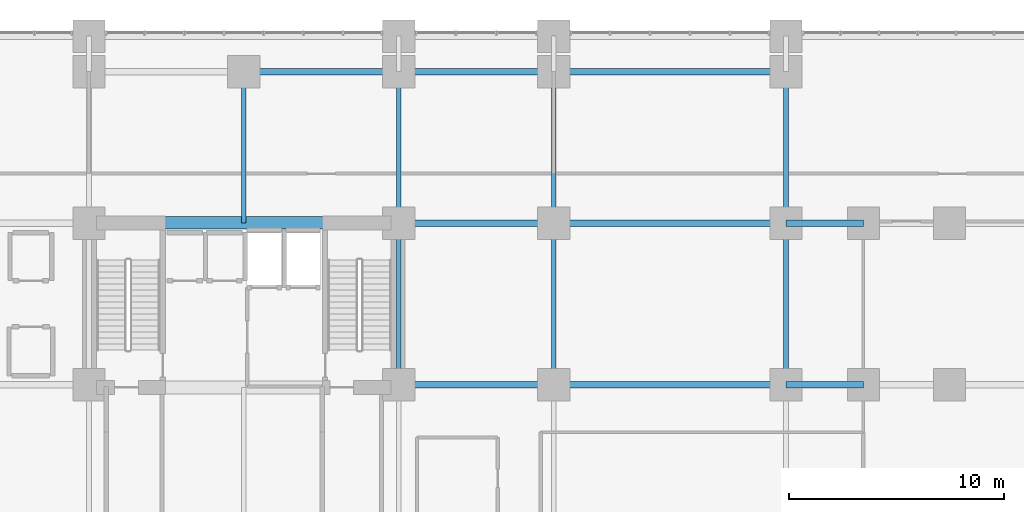
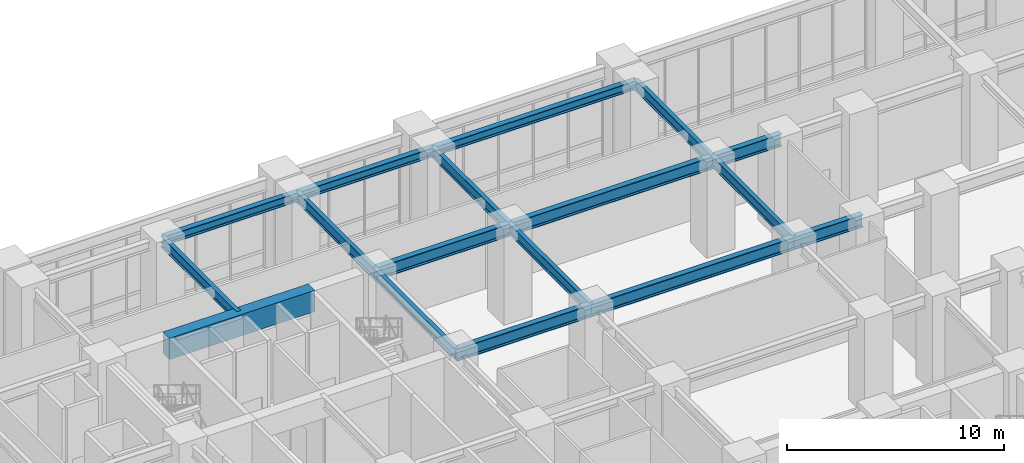
# One storey, part 5 of 22: 17 beams.
"""IFC4 building model written with IfcOpenShell, lengths in metres."""

from ifc_helpers import new_model, si_unit, direction, frame, origin, origin_2d, place, context, subcontext, project, spatial, rectangle, i_section, extrude, source, transform, mapped, material, material_profile, profile_set, type_object, element, save


model = new_model("IFC4")

# Units and contexts
model_context = context("Model", 3, precision=1e-05, world=origin(), true_north=direction((0.0, 1.0)))
body_context = subcontext(model_context, "Body", "Model", "MODEL_VIEW")
ifc_project = project(units=[si_unit("LENGTHUNIT", "METRE"), si_unit("AREAUNIT", "SQUARE_METRE"), si_unit("VOLUMEUNIT", "CUBIC_METRE"), si_unit("PLANEANGLEUNIT", "RADIAN"), si_unit("MASSUNIT", "GRAM", prefix="KILO")], contexts=[model_context])

# Site, building, storey
site_placement = place(None, origin())
site = spatial("IfcSite", under=ifc_project, at=site_placement, CompositionType="ELEMENT")
building_placement = place(site_placement, origin())
building = spatial("IfcBuilding", under=site, at=building_placement, Name="Kaliganga Portal Commons", CompositionType="ELEMENT")
storey_placement = place(building_placement, origin())
storey = spatial("IfcBuildingStorey", under=building, at=storey_placement, Name="L00", CompositionType="ELEMENT", Elevation=0.0)

# Beams
ifc_material_1 = material(Name="Concrete C60/75", Category="concrete")
ifc_material_profile_1 = material_profile(ifc_material_1, rectangle(XDim=0.60009765625, YDim=1.199951171875, at=origin_2d()), Name="RC 600x1200")
ifc_profile_set_1 = profile_set([ifc_material_profile_1], Name="Concrete C60/75")
beam_type_1 = type_object("IfcBeamType", Name="BM-CPL-1200", PredefinedType="LINTEL", material=ifc_profile_set_1)
shared_shape_1 = source(origin(), body_context, "Body", "SweptSolid", [
    extrude(rectangle(XDim=0.60009765625, YDim=1.199951171875, at=origin_2d()), origin(), (0.0, 0.0, 1.0), 7.739990234375),
])
beam_1_placement = place(storey_placement, frame((17.72998046875, 36.175048828125, 4.52001953125), z_axis=(1.0, 0.0, 0.0), x_axis=(0.0, 1.0, 0.0)))
element("IfcBeam", 1, at=beam_1_placement, inside=storey, type_object=beam_type_1, Name="BM CPL COREA L00 N", PredefinedType="LINTEL", context=body_context, shape_type="MappedRepresentation", body=[
    mapped(shared_shape_1, transform((0.0, 0.0, 0.0), x_axis=(1.0, 0.0, 0.0), y_axis=(0.0, 1.0, 0.0), z_axis=(0.0, 0.0, 1.0), scale=1.0)),
])
ifc_material_2 = material(Name="Structural steel S355J2", Category="steel")
ifc_material_profile_2 = material_profile(ifc_material_2, i_section(OverallWidth=0.300048828125, OverallDepth=0.699951171875, WebThickness=0.01708984375, FlangeThickness=0.031982421875, FilletRadius=0.027099609375, at=origin_2d()), Name="HE 700 B")
ifc_profile_set_2 = profile_set([ifc_material_profile_2], Name="Structural steel S355J2 wide-flange")
beam_type_2 = type_object("IfcBeamType", Name="BM-GIRD-700", PredefinedType="USERDEFINED", material=ifc_profile_set_2)
shared_shape_2 = source(origin(), body_context, "Body", "SweptSolid", [
    extrude(i_section(OverallWidth=0.300048828125, OverallDepth=0.699951171875, WebThickness=0.01708984375, FlangeThickness=0.031982421875, FilletRadius=0.027099609375, at=origin_2d()), origin(), (0.0, 0.0, 1.0), 7.199951171875),
])
for number, where, z_axis, x_axis, name in (
    (2, (28.800048828125, 28.64990234375, 4.77001953125), (1.0, 0.0, 0.0), (0.0, 1.0, 0.0), "BM G L00 WAE_S 1"),
    (3, (28.800048828125, 36.14990234375, 4.77001953125), (1.0, 0.0, 0.0), (0.0, 1.0, 0.0), "BM G L00 WAE_N 1"),
):
    element("IfcBeam", number, at=place(storey_placement, frame(where, z_axis=z_axis, x_axis=x_axis)), inside=storey, type_object=beam_type_2, Name=name, ObjectType="GIRDER", PredefinedType="USERDEFINED", context=body_context, shape_type="MappedRepresentation", body=[
        mapped(shared_shape_2, transform((0.0, 0.0, 0.0), x_axis=(1.0, 0.0, 0.0), y_axis=(0.0, 1.0, 0.0), z_axis=(0.0, 0.0, 1.0), scale=1.0)),
    ])
shared_shape_3 = source(origin(), body_context, "Body", "SweptSolid", [
    extrude(i_section(OverallWidth=0.300048828125, OverallDepth=0.699951171875, WebThickness=0.01708984375, FlangeThickness=0.031982421875, FilletRadius=0.027099609375, at=origin_2d()), origin(), (0.0, 0.0, 1.0), 10.800048828125),
])
for number, where, z_axis, x_axis, name in (
    (4, (36.0, 28.64990234375, 4.77001953125), (1.0, 0.0, 0.0), (0.0, 1.0, 0.0), "BM G L00 WAE_S 2"),
    (5, (36.0, 36.14990234375, 4.77001953125), (1.0, 0.0, 0.0), (0.0, 1.0, 0.0), "BM G L00 WAE_N 2"),
):
    element("IfcBeam", number, at=place(storey_placement, frame(where, z_axis=z_axis, x_axis=x_axis)), inside=storey, type_object=beam_type_2, Name=name, ObjectType="GIRDER", PredefinedType="USERDEFINED", context=body_context, shape_type="MappedRepresentation", body=[
        mapped(shared_shape_3, transform((0.0, 0.0, 0.0), x_axis=(1.0, 0.0, 0.0), y_axis=(0.0, 1.0, 0.0), z_axis=(0.0, 0.0, 1.0), scale=1.0)),
    ])
ifc_material_profile_3 = material_profile(ifc_material_2, i_section(OverallWidth=0.219970703125, OverallDepth=0.60009765625, WebThickness=0.011962890625, FlangeThickness=0.01904296875, FilletRadius=0.02392578125, at=origin_2d()), Name="IPE 600")
ifc_profile_set_3 = profile_set([ifc_material_profile_3], Name="Structural steel S355J2 wide-flange")
beam_type_3 = type_object("IfcBeamType", Name="BM-FLR-600", PredefinedType="BEAM", material=ifc_profile_set_3)
shared_shape_4 = source(origin(), body_context, "Body", "SweptSolid", [
    extrude(i_section(OverallWidth=0.219970703125, OverallDepth=0.60009765625, WebThickness=0.011962890625, FlangeThickness=0.01904296875, FilletRadius=0.02392578125, at=origin_2d()), origin(), (0.0, 0.0, 1.0), 7.5),
])
for number, where, z_axis, x_axis, name in (
    (6, (28.800048828125, 28.64990234375, 4.820068359375), (0.0, 1.0, 0.0), (-1.0, 0.0, 0.0), "BM G L00 AM288"),
    (7, (36.0, 28.64990234375, 4.820068359375), (0.0, 1.0, 0.0), (-1.0, 0.0, 0.0), "BM G L00 AM360"),
    (8, (46.800048828125, 28.64990234375, 4.820068359375), (0.0, 1.0, 0.0), (-1.0, 0.0, 0.0), "BM G L00 AM468"),
):
    element("IfcBeam", number, at=place(storey_placement, frame(where, z_axis=z_axis, x_axis=x_axis)), inside=storey, type_object=beam_type_3, Name=name, PredefinedType="BEAM", context=body_context, shape_type="MappedRepresentation", body=[
        mapped(shared_shape_4, transform((0.0, 0.0, 0.0), x_axis=(1.0, 0.0, 0.0), y_axis=(0.0, 1.0, 0.0), z_axis=(0.0, 0.0, 1.0), scale=1.0)),
    ])
shared_shape_5 = source(origin(), body_context, "Body", "SweptSolid", [
    extrude(i_section(OverallWidth=0.219970703125, OverallDepth=0.60009765625, WebThickness=0.011962890625, FlangeThickness=0.01904296875, FilletRadius=0.02392578125, at=origin_2d()), origin(), (0.0, 0.0, 1.0), 7.050048828125),
])
for number, where, z_axis, x_axis, name in (
    (9, (28.800048828125, 36.14990234375, 4.820068359375), (0.0, 1.0, 0.0), (-1.0, 0.0, 0.0), "BM G L00 AN288"),
    (10, (36.0, 36.14990234375, 4.820068359375), (0.0, 1.0, 0.0), (-1.0, 0.0, 0.0), "BM G L00 AN360"),
    (11, (46.800048828125, 36.14990234375, 4.820068359375), (0.0, 1.0, 0.0), (-1.0, 0.0, 0.0), "BM G L00 AN468"),
):
    element("IfcBeam", number, at=place(storey_placement, frame(where, z_axis=z_axis, x_axis=x_axis)), inside=storey, type_object=beam_type_3, Name=name, PredefinedType="BEAM", context=body_context, shape_type="MappedRepresentation", body=[
        mapped(shared_shape_5, transform((0.0, 0.0, 0.0), x_axis=(1.0, 0.0, 0.0), y_axis=(0.0, 1.0, 0.0), z_axis=(0.0, 0.0, 1.0), scale=1.0)),
    ])
shared_shape_6 = source(origin(), body_context, "Body", "SweptSolid", [
    extrude(i_section(OverallWidth=0.219970703125, OverallDepth=0.60009765625, WebThickness=0.011962890625, FlangeThickness=0.01904296875, FilletRadius=0.02392578125, at=origin_2d()), origin(), (0.0, 0.0, 1.0), 7.02490234375),
])
beam_2_placement = place(storey_placement, frame((21.60009765625, 36.175048828125, 4.820068359375), z_axis=(0.0, 1.0, 0.0), x_axis=(-1.0, 0.0, 0.0)))
element("IfcBeam", 12, at=beam_2_placement, inside=storey, type_object=beam_type_3, Name="BM G L00 AN216", PredefinedType="BEAM", context=body_context, shape_type="MappedRepresentation", body=[
    mapped(shared_shape_6, transform((0.0, 0.0, 0.0), x_axis=(1.0, 0.0, 0.0), y_axis=(0.0, 1.0, 0.0), z_axis=(0.0, 0.0, 1.0), scale=1.0)),
])
shared_shape_7 = source(origin(), body_context, "Body", "SweptSolid", [
    extrude(i_section(OverallWidth=0.300048828125, OverallDepth=0.699951171875, WebThickness=0.01708984375, FlangeThickness=0.031982421875, FilletRadius=0.027099609375, at=origin_2d()), origin(), (0.0, 0.0, 1.0), 3.599853515625),
])
for number, where, z_axis, x_axis, name in (
    (13, (46.800048828125, 28.64990234375, 4.77001953125), (1.0, 0.0, 0.0), (0.0, 1.0, 0.0), "BM G L00 BKE286 1"),
    (14, (46.800048828125, 36.14990234375, 4.77001953125), (1.0, 0.0, 0.0), (0.0, 1.0, 0.0), "BM G L00 BKE362 1"),
):
    element("IfcBeam", number, at=place(storey_placement, frame(where, z_axis=z_axis, x_axis=x_axis)), inside=storey, type_object=beam_type_2, Name=name, ObjectType="GIRDER", PredefinedType="USERDEFINED", context=body_context, shape_type="MappedRepresentation", body=[
        mapped(shared_shape_7, transform((0.0, 0.0, 0.0), x_axis=(1.0, 0.0, 0.0), y_axis=(0.0, 1.0, 0.0), z_axis=(0.0, 0.0, 1.0), scale=1.0)),
    ])
ifc_material_profile_4 = material_profile(ifc_material_2, i_section(OverallWidth=0.300048828125, OverallDepth=0.5, WebThickness=0.014404296875, FlangeThickness=0.028076171875, FilletRadius=0.027099609375, at=origin_2d()), Name="HE 500 B")
ifc_profile_set_4 = profile_set([ifc_material_profile_4], Name="Structural steel S355J2 wide-flange")
beam_type_4 = type_object("IfcBeamType", Name="BM-SPAND-500", PredefinedType="SPANDREL", material=ifc_profile_set_4)
shared_shape_8 = source(origin(), body_context, "Body", "SweptSolid", [
    extrude(i_section(OverallWidth=0.300048828125, OverallDepth=0.5, WebThickness=0.014404296875, FlangeThickness=0.028076171875, FilletRadius=0.027099609375, at=origin_2d()), origin(), (0.0, 0.0, 1.0), 7.199951171875),
])
for number, where, z_axis, x_axis, name in (
    (15, (21.60009765625, 43.199951171875, 4.8701171875), (1.0, 0.0, 0.0), (0.0, 1.0, 0.0), "BM SP L00 AN 2"),
    (16, (28.800048828125, 43.199951171875, 4.8701171875), (1.0, 0.0, 0.0), (0.0, 1.0, 0.0), "BM SP L00 AN 3"),
):
    element("IfcBeam", number, at=place(storey_placement, frame(where, z_axis=z_axis, x_axis=x_axis)), inside=storey, type_object=beam_type_4, Name=name, PredefinedType="SPANDREL", context=body_context, shape_type="MappedRepresentation", body=[
        mapped(shared_shape_8, transform((0.0, 0.0, 0.0), x_axis=(1.0, 0.0, 0.0), y_axis=(0.0, 1.0, 0.0), z_axis=(0.0, 0.0, 1.0), scale=1.0)),
    ])
shared_shape_9 = source(origin(), body_context, "Body", "SweptSolid", [
    extrude(i_section(OverallWidth=0.300048828125, OverallDepth=0.5, WebThickness=0.014404296875, FlangeThickness=0.028076171875, FilletRadius=0.027099609375, at=origin_2d()), origin(), (0.0, 0.0, 1.0), 10.800048828125),
])
beam_3_placement = place(storey_placement, frame((36.0, 43.199951171875, 4.8701171875), z_axis=(1.0, 0.0, 0.0), x_axis=(0.0, 1.0, 0.0)))
element("IfcBeam", 17, at=beam_3_placement, inside=storey, type_object=beam_type_4, Name="BM SP L00 AN 4", PredefinedType="SPANDREL", context=body_context, shape_type="MappedRepresentation", body=[
    mapped(shared_shape_9, transform((0.0, 0.0, 0.0), x_axis=(1.0, 0.0, 0.0), y_axis=(0.0, 1.0, 0.0), z_axis=(0.0, 0.0, 1.0), scale=1.0)),
])

save(model, "model.ifc")
